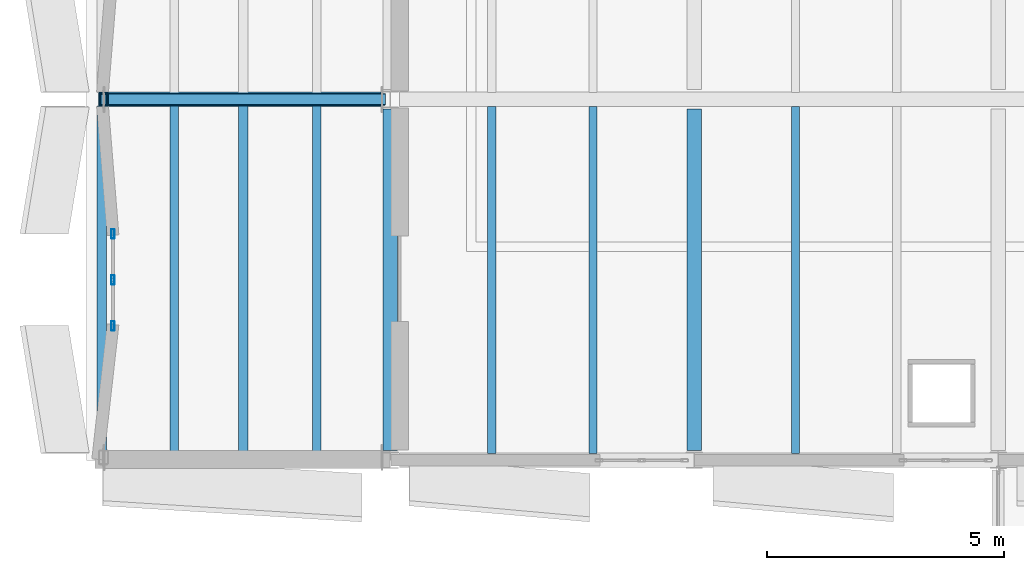
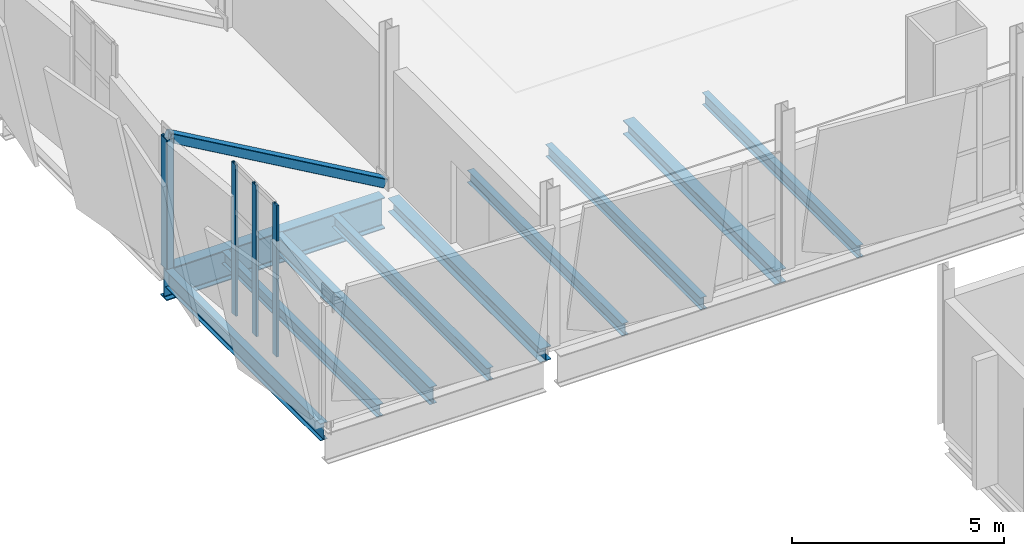
# One storey, part 31 of 172: 10 beams, 5 members, 1 element without a shape of its own.
"""IFC4 building model written with IfcOpenShell, lengths in metres."""

from ifc_helpers import new_model, si_unit, direction, frame, origin, origin_2d, place, context, subcontext, project, spatial, hollow_rectangle, i_section, extrude, material, material_profile, profile_set, type_object, element, aggregate, save


model = new_model("IFC4")

# Units and contexts
model_context = context("Model", 3, precision=1e-05, world=origin(), true_north=direction((0.0, 1.0)))
body_context = subcontext(model_context, "Body", "Model", "MODEL_VIEW")
ifc_project = project(units=[si_unit("LENGTHUNIT", "METRE"), si_unit("AREAUNIT", "SQUARE_METRE"), si_unit("VOLUMEUNIT", "CUBIC_METRE"), si_unit("PLANEANGLEUNIT", "RADIAN"), si_unit("MASSUNIT", "GRAM", prefix="KILO")], contexts=[model_context])

# Site, building, storey
site_placement = place(None, origin())
site = spatial("IfcSite", under=ifc_project, at=site_placement, CompositionType="ELEMENT")
building_placement = place(site_placement, origin())
building = spatial("IfcBuilding", under=site, at=building_placement, Name="Shengluoqiao Park Theatre", CompositionType="ELEMENT")
storey_placement = place(building_placement, frame((0.0, 0.0, 5.39990234375)))
storey = spatial("IfcBuildingStorey", under=building, at=storey_placement, Name="L01", CompositionType="ELEMENT", Elevation=5.39990234375)

# Curtain wall, members
ifc_material_1 = material(Name="Aluminium 6063-T6", Category="aluminium")
curtain_wall_type = type_object("IfcCurtainWallType", Name="ENV-CW-STUDIO", PredefinedType="NOTDEFINED", material=ifc_material_1)
curtain_wall_placement = place(storey_placement, origin())
curtain_wall = element("IfcCurtainWall", 1, at=curtain_wall_placement, inside=storey, type_object=curtain_wall_type, Name="L01 Curtain Wall CW-L01-SLIT-0232", PredefinedType="NOTDEFINED")
ifc_material_profile_1 = material_profile(ifc_material_1, hollow_rectangle(XDim=0.06494140625, YDim=0.199951171875, WallThickness=0.0048828125, InnerFilletRadius=0.0048828125, OuterFilletRadius=0.010009765625, at=origin_2d()), Name="ALU MULLION 200x65x5")
ifc_profile_set_1 = profile_set([ifc_material_profile_1], Name="Aluminium 6063-T6")
member_type_1 = type_object("IfcMemberType", Name="ENV-MUL-200", PredefinedType="MULLION", material=ifc_profile_set_1)
member_1_placement = place(storey_placement, frame((0.56005859375, 33.232421875, 0.0), z_axis=(0.0, 0.0, 1.0), x_axis=(-1.0, 0.0, 0.0)))
member_1 = element("IfcMember", 2, at=member_1_placement, type_object=member_type_1, Name="CW-02 mullion 1", PredefinedType="MULLION", context=body_context, shape_type="SweptSolid", body=[
    extrude(hollow_rectangle(XDim=0.06494140625, YDim=0.199951171875, WallThickness=0.0048828125, InnerFilletRadius=0.0048828125, OuterFilletRadius=0.010009765625, at=origin_2d()), origin(), (0.0, 0.0, 1.0), 4.360107421875),
])
member_2_placement = place(storey_placement, frame((0.56005859375, 34.199951171875, 0.0), z_axis=(0.0, 0.0, 1.0), x_axis=(-1.0, 0.0, 0.0)))
member_2 = element("IfcMember", 3, at=member_2_placement, type_object=member_type_1, Name="CW-02 mullion 2", PredefinedType="MULLION", context=body_context, shape_type="SweptSolid", body=[
    extrude(hollow_rectangle(XDim=0.06494140625, YDim=0.199951171875, WallThickness=0.0048828125, InnerFilletRadius=0.0048828125, OuterFilletRadius=0.010009765625, at=origin_2d()), origin(), (0.0, 0.0, 1.0), 4.360107421875),
])
member_3_placement = place(storey_placement, frame((0.56005859375, 35.16748046875, 0.0), z_axis=(0.0, 0.0, 1.0), x_axis=(-1.0, 0.0, 0.0)))
member_3 = element("IfcMember", 4, at=member_3_placement, type_object=member_type_1, Name="CW-02 mullion 3", PredefinedType="MULLION", context=body_context, shape_type="SweptSolid", body=[
    extrude(hollow_rectangle(XDim=0.06494140625, YDim=0.199951171875, WallThickness=0.0048828125, InnerFilletRadius=0.0048828125, OuterFilletRadius=0.010009765625, at=origin_2d()), origin(), (0.0, 0.0, 1.0), 4.360107421875),
])
aggregate(curtain_wall, [member_1, member_2, member_3])

# Beams
ifc_material_2 = material(Name="Steel Q355", Category="steel")
ifc_material_profile_2 = material_profile(ifc_material_2, i_section(OverallWidth=0.300048828125, OverallDepth=0.389892578125, WebThickness=0.010009765625, FlangeThickness=0.01611328125, FilletRadius=0.01806640625, at=origin_2d()), Name="HM 390x300x10x16")
ifc_profile_set_2 = profile_set([ifc_material_profile_2], Name="Steel Q355")
beam_type_1 = type_object("IfcBeamType", Name="STR-BM-G-HM390", PredefinedType="BEAM", material=ifc_profile_set_2)
for number, where, z_axis, x_axis, name in (
    (5, (6.39990234375, 30.60791015625, -0.434814453125), (0.0, 1.0, 0.0), (-1.0, 0.0, 0.0), "L01 Transverse Girder 00373"),
    (6, (12.800048828125, 30.60791015625, -0.434814453125), (0.0, 1.0, 0.0), (-1.0, 0.0, 0.0), "L01 Transverse Girder 00376"),
):
    element("IfcBeam", number, at=place(storey_placement, frame(where, z_axis=z_axis, x_axis=x_axis)), inside=storey, type_object=beam_type_1, Name=name, PredefinedType="BEAM", context=body_context, shape_type="SweptSolid", body=[
        extrude(i_section(OverallWidth=0.300048828125, OverallDepth=0.389892578125, WebThickness=0.010009765625, FlangeThickness=0.01611328125, FilletRadius=0.01806640625, at=origin_2d()), origin(), (0.0, 0.0, 1.0), 7.18408203125),
    ])
ifc_material_3 = material(Name="Steel Q390", Category="steel")
ifc_material_profile_3 = material_profile(ifc_material_3, i_section(OverallWidth=0.300048828125, OverallDepth=0.89990234375, WebThickness=0.01611328125, FlangeThickness=0.028076171875, FilletRadius=0.028076171875, at=origin_2d()), Name="HN 900x300x16x28")
ifc_profile_set_3 = profile_set([ifc_material_profile_3], Name="Steel Q390")
beam_type_2 = type_object("IfcBeamType", Name="STR-BM-G-HN900", PredefinedType="BEAM", material=ifc_profile_set_3)
beam_placement = place(storey_placement, frame((0.260009765625, 38.0, -0.68994140625), z_axis=(1.0, 0.0, 0.0), x_axis=(0.0, 1.0, 0.0)))
element("IfcBeam", 7, at=beam_placement, inside=storey, type_object=beam_type_2, Name="CT-V3-2 L01 Cantilever Overhang Chord", PredefinedType="BEAM", context=body_context, shape_type="SweptSolid", body=[
    extrude(i_section(OverallWidth=0.300048828125, OverallDepth=0.89990234375, WebThickness=0.01611328125, FlangeThickness=0.028076171875, FilletRadius=0.028076171875, at=origin_2d()), origin(), (0.0, 0.0, 1.0), 5.948486328125),
])
ifc_material_profile_4 = material_profile(ifc_material_2, i_section(OverallWidth=0.175048828125, OverallDepth=0.35009765625, WebThickness=0.007080078125, FlangeThickness=0.010986328125, FilletRadius=0.013916015625, at=origin_2d()), Name="HN 350x175x7x11")
ifc_profile_set_4 = profile_set([ifc_material_profile_4], Name="Steel Q355")
beam_type_3 = type_object("IfcBeamType", Name="STR-BM-J-HN350", PredefinedType="JOIST", material=ifc_profile_set_4)
for number, where, z_axis, x_axis, name in (
    (8, (1.85009765625, 30.5439453125, -0.414794921875), (0.0, 1.0, 0.0), (-1.0, 0.0, 0.0), "V3 L01 Cantilever Joist 01-18"),
    (9, (4.85009765625, 30.5439453125, -0.414794921875), (0.0, 1.0, 0.0), (-1.0, 0.0, 0.0), "V3 L01 Cantilever Joist 00007"),
):
    element("IfcBeam", number, at=place(storey_placement, frame(where, z_axis=z_axis, x_axis=x_axis)), inside=storey, type_object=beam_type_3, Name=name, PredefinedType="JOIST", context=body_context, shape_type="SweptSolid", body=[
        extrude(i_section(OverallWidth=0.175048828125, OverallDepth=0.35009765625, WebThickness=0.007080078125, FlangeThickness=0.010986328125, FilletRadius=0.013916015625, at=origin_2d()), origin(), (0.0, 0.0, 1.0), 7.31201171875),
    ])
for number, where, z_axis, x_axis, name in (
    (10, (8.533203125, 30.544921875, -0.414794921875), (0.0, 1.0, 0.0), (-1.0, 0.0, 0.0), "L01 Composite Joist 00381"),
    (11, (10.666748046875, 30.544921875, -0.414794921875), (0.0, 1.0, 0.0), (-1.0, 0.0, 0.0), "L01 Composite Joist 00382"),
    (12, (14.933349609375, 30.544921875, -0.414794921875), (0.0, 1.0, 0.0), (-1.0, 0.0, 0.0), "L01 Composite Joist 00387"),
):
    element("IfcBeam", number, at=place(storey_placement, frame(where, z_axis=z_axis, x_axis=x_axis)), inside=storey, type_object=beam_type_3, Name=name, PredefinedType="JOIST", context=body_context, shape_type="SweptSolid", body=[
        extrude(i_section(OverallWidth=0.175048828125, OverallDepth=0.35009765625, WebThickness=0.007080078125, FlangeThickness=0.010986328125, FilletRadius=0.013916015625, at=origin_2d()), origin(), (0.0, 0.0, 1.0), 7.31005859375),
    ])
ifc_material_profile_5 = material_profile(ifc_material_2, i_section(OverallWidth=0.198974609375, OverallDepth=0.49609375, WebThickness=0.009033203125, FlangeThickness=0.013916015625, FilletRadius=0.01806640625, at=origin_2d()), Name="HN 496x199x9x14")
ifc_profile_set_5 = profile_set([ifc_material_profile_5], Name="Steel Q355")
beam_type_4 = type_object("IfcBeamType", Name="STR-BM-SP-HN496", PredefinedType="SPANDREL", material=ifc_profile_set_5)
for number, where, z_axis, x_axis, name in (
    (13, (0.320068359375, 30.5439453125, -0.48779296875), (0.0, 1.0, 0.0), (-1.0, 0.0, 0.0), "V3 L01 Cantilever Spandrel L01-3"),
    (14, (3.300048828125, 30.5439453125, -0.48779296875), (0.0, 1.0, 0.0), (-1.0, 0.0, 0.0), "V3 L01 Cantilever Spandrel 01-33"),
):
    element("IfcBeam", number, at=place(storey_placement, frame(where, z_axis=z_axis, x_axis=x_axis)), inside=storey, type_object=beam_type_4, Name=name, PredefinedType="SPANDREL", context=body_context, shape_type="SweptSolid", body=[
        extrude(i_section(OverallWidth=0.198974609375, OverallDepth=0.49609375, WebThickness=0.009033203125, FlangeThickness=0.013916015625, FilletRadius=0.01806640625, at=origin_2d()), origin(), (0.0, 0.0, 1.0), 7.31201171875),
    ])

# Members
ifc_material_profile_6 = material_profile(ifc_material_2, hollow_rectangle(XDim=0.25, YDim=0.25, WallThickness=0.011962890625, InnerFilletRadius=0.011962890625, OuterFilletRadius=0.02392578125, at=origin_2d()), Name="RHS 250x250x12")
ifc_profile_set_6 = profile_set([ifc_material_profile_6], Name="Steel Q355")
member_type_2 = type_object("IfcMemberType", Name="STR-MEM-BRR-250", PredefinedType="BRACE", material=ifc_profile_set_6)
member_4_placement = place(storey_placement, frame((6.239990234375, 38.0, 0.1201171875), z_axis=(-0.866973184709, 0.0, 0.49835479028), x_axis=(0.0, -1.0, 0.0)))
element("IfcMember", 15, at=member_4_placement, inside=storey, type_object=member_type_2, Name="CT-V3-2 L01 Cantilever Raking Strut", PredefinedType="BRACE", context=body_context, shape_type="SweptSolid", body=[
    extrude(hollow_rectangle(XDim=0.25, YDim=0.25, WallThickness=0.011962890625, InnerFilletRadius=0.011962890625, OuterFilletRadius=0.02392578125, at=origin_2d()), origin(), (0.0, 0.0, 1.0), 6.781982421875),
])
ifc_material_profile_7 = material_profile(ifc_material_3, hollow_rectangle(XDim=0.199951171875, YDim=0.300048828125, WallThickness=0.011962890625, InnerFilletRadius=0.011962890625, OuterFilletRadius=0.02392578125, at=origin_2d()), Name="RHS 300x200x12")
ifc_profile_set_7 = profile_set([ifc_material_profile_7], Name="Steel Q390")
member_type_3 = type_object("IfcMemberType", Name="STR-MEM-PTR-302", PredefinedType="POST", material=ifc_profile_set_7)
member_5_placement = place(storey_placement, frame((0.360107421875, 38.0, -0.260009765625), z_axis=(0.0, 0.0, 1.0), x_axis=(1.0, 0.0, 0.0)))
element("IfcMember", 16, at=member_5_placement, inside=storey, type_object=member_type_3, Name="CT-V3-2 L01 Cantilever Tip Post", PredefinedType="POST", context=body_context, shape_type="SweptSolid", body=[
    extrude(hollow_rectangle(XDim=0.199951171875, YDim=0.300048828125, WallThickness=0.011962890625, InnerFilletRadius=0.011962890625, OuterFilletRadius=0.02392578125, at=origin_2d()), origin(), (0.0, 0.0, 1.0), 3.739990234375),
])

save(model, "model.ifc")
